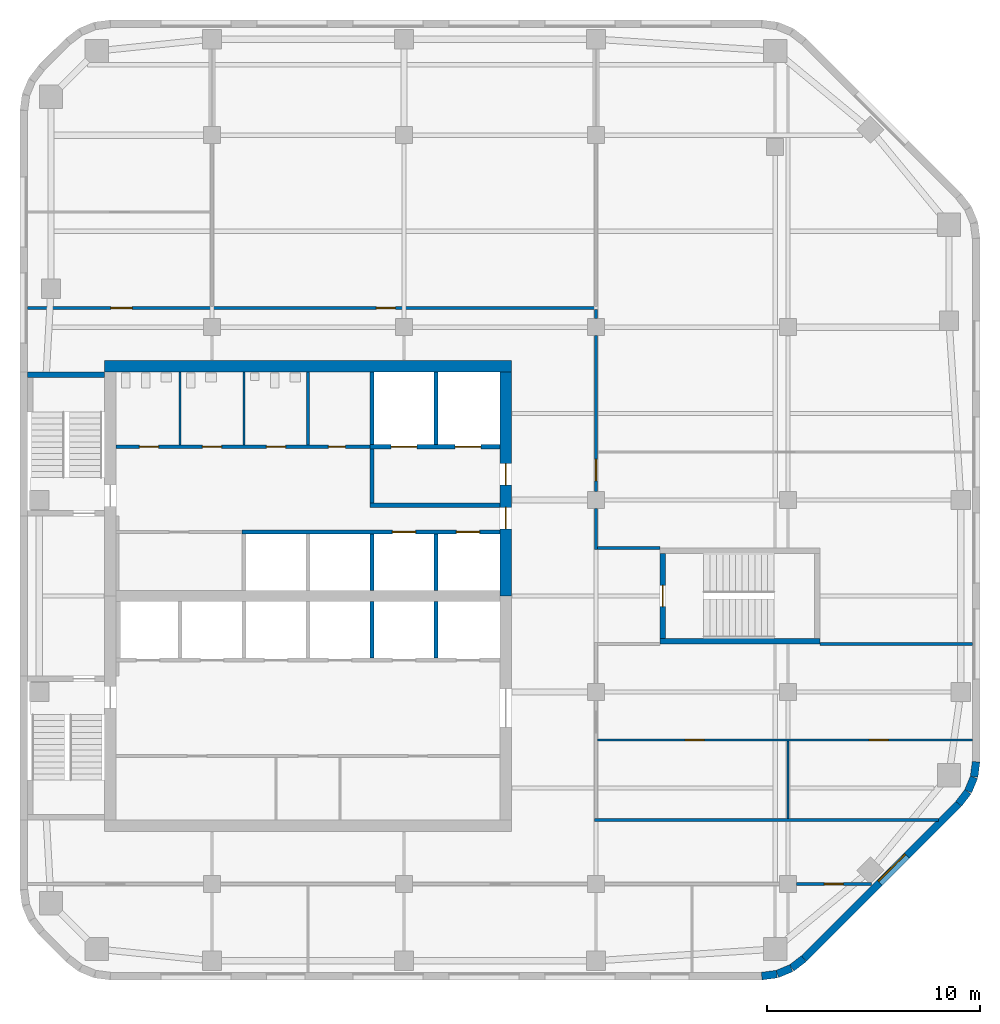
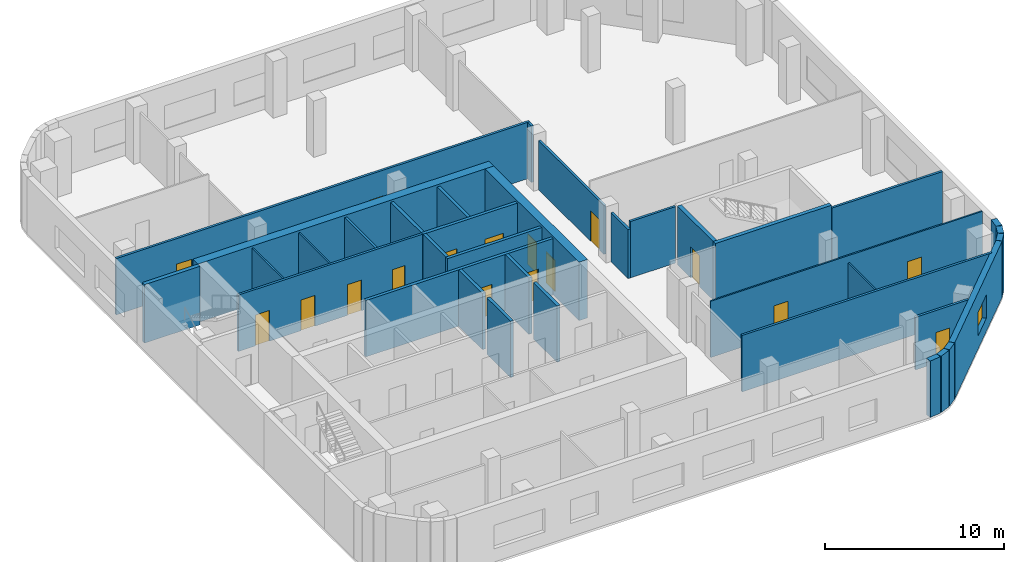
# One storey, part 4 of 7: 36 walls, 17 doors, 1 window, 18 openings.
"""IFC4 building model written with IfcOpenShell, lengths in metres."""

from ifc_helpers import new_model, si_unit, direction, frame, frame_2d, origin, place, context, subcontext, project, spatial, rectangle, extrude, material, layer, layer_set, type_object, element, fill, save


model = new_model("IFC4")

# Units and contexts
model_context = context("Model", 3, precision=1e-05, world=origin(), true_north=direction((0.0, 1.0)))
body_context = subcontext(model_context, "Body", "Model", "MODEL_VIEW")
ifc_project = project(units=[si_unit("LENGTHUNIT", "METRE"), si_unit("AREAUNIT", "SQUARE_METRE"), si_unit("VOLUMEUNIT", "CUBIC_METRE"), si_unit("PLANEANGLEUNIT", "RADIAN"), si_unit("MASSUNIT", "GRAM", prefix="KILO")], contexts=[model_context])

# Site, building, storey
site_placement = place(None, origin())
site = spatial("IfcSite", under=ifc_project, at=site_placement, CompositionType="ELEMENT")
building_placement = place(site_placement, origin())
building = spatial("IfcBuilding", under=site, at=building_placement, Name="Cinnabar Reach Civic Tower", CompositionType="ELEMENT")
storey_placement = place(building_placement, frame((0.0, 0.0, 230.0)))
storey = spatial("IfcBuildingStorey", under=building, at=storey_placement, Name="L55", CompositionType="ELEMENT", Elevation=230.0)

# Walls
ifc_material_1 = material(Name="Facing brick with insulated backing", Category="masonry")
ifc_layer_1 = layer(ifc_material_1, 0.36)
ifc_layer_set_1 = layer_set([ifc_layer_1], Name="Brick corner wall")
wall_type_1 = type_object("IfcWallType", Name="Brick corner wall", PredefinedType="STANDARD", material=ifc_layer_set_1)
for number, where, z_axis, x_axis, name in (
    (1, (34.7686, 13.683, 0.0), (0.0, 0.0, 1.0), (0.99144092581, 0.13055608231, 0.0), "Brick corner wall"),
    (2, (35.4973, 13.7819, 0.0), (0.0, 0.0, 1.0), (0.923871547278, 0.382702709855, 0.0), "Brick corner wall"),
):
    element("IfcWall", number, at=place(storey_placement, frame(where, z_axis=z_axis, x_axis=x_axis)), inside=storey, type_object=wall_type_1, Name=name, PredefinedType="STANDARD", context=body_context, shape_type="SweptSolid", body=[
        extrude(rectangle(XDim=0.7131, YDim=0.36, at=frame_2d((0.3565, 0.0))), origin(), (0.0, 0.0, 1.0), 3.85),
    ])
for number, where, z_axis, x_axis, name in (
    (3, (36.1755, 14.066, 0.0), (0.0, 0.0, 1.0), (0.793321924995, 0.608802368033, 0.0), "Brick corner wall"),
    (4, (43.9998, 21.7587, 0.0), (0.0, 0.0, 1.0), (0.608802368033, 0.793321924995, 0.0), "Brick corner wall"),
):
    element("IfcWall", number, at=place(storey_placement, frame(where, z_axis=z_axis, x_axis=x_axis)), inside=storey, type_object=wall_type_1, Name=name, PredefinedType="STANDARD", context=body_context, shape_type="SweptSolid", body=[
        extrude(rectangle(XDim=0.7132, YDim=0.36, at=frame_2d((0.3566, 0.0))), origin(), (0.0, 0.0, 1.0), 3.85),
    ])
for number, where, z_axis, x_axis, name in (
    (5, (44.4452, 22.3439, 0.0), (0.0, 0.0, 1.0), (0.382702709855, 0.923871547278, 0.0), "Brick corner wall"),
    (6, (44.7239, 23.0244, 0.0), (0.0, 0.0, 1.0), (0.13055608231, 0.99144092581, 0.0), "Brick corner wall"),
):
    element("IfcWall", number, at=place(storey_placement, frame(where, z_axis=z_axis, x_axis=x_axis)), inside=storey, type_object=wall_type_1, Name=name, PredefinedType="STANDARD", context=body_context, shape_type="SweptSolid", body=[
        extrude(rectangle(XDim=0.7131, YDim=0.36, at=frame_2d((0.3565, 0.0))), origin(), (0.0, 0.0, 1.0), 3.85),
    ])

# Wall, opening, window
ifc_layer_2 = layer(ifc_material_1, 0.36)
ifc_layer_set_2 = layer_set([ifc_layer_2], Name="Brick pier and spandrel wall")
wall_type_2 = type_object("IfcWallType", Name="Brick pier and spandrel wall", PredefinedType="STANDARD", material=ifc_layer_set_2)
wall_1_placement = place(storey_placement, frame((36.7514, 14.506, 0.0), z_axis=(0.0, 0.0, 1.0), x_axis=(0.707106781187, 0.707106781187, 0.0)))
wall_1 = element("IfcWall", 7, at=wall_1_placement, inside=storey, type_object=wall_type_2, Name="Brick facade wall", PredefinedType="STANDARD", context=body_context, shape_type="SweptSolid", body=[
    extrude(rectangle(XDim=10.2426, YDim=0.36, at=frame_2d((5.1213, 0.0))), origin(), (0.0, 0.0, 1.0), 3.85),
])
opening_1_placement = place(wall_1_placement, frame((5.0213, 0.0, 0.9)))
opening_1 = element("IfcOpeningElement", 8, at=opening_1_placement, cuts=wall_1, Name="Opening W2126", PredefinedType="OPENING", context=body_context, shape_type="SweptSolid", body=[
    extrude(rectangle(XDim=1.8, YDim=1.6, at=frame_2d((0.9, 0.8))), frame((0.0, 0.19, 0.0), z_axis=(0.0, -1.0, 0.0), x_axis=(1.0, 0.0, 0.0)), (0.0, 0.0, 1.0), 0.38),
])
ifc_material_2 = material(Name="Clear double glazing in aluminium frame", Category="aluminium")
window_type = type_object("IfcWindowType", Name="Deep-set window D", PartitioningType="SINGLE_PANEL", PredefinedType="WINDOW", material=ifc_material_2)
window_placement = place(opening_1_placement, origin())
window = element("IfcWindow", 9, at=window_placement, inside=storey, type_object=window_type, Name="Window southeast face", OverallHeight=1.6, OverallWidth=1.8, PartitioningType="SINGLE_PANEL", PredefinedType="WINDOW", context=body_context, shape_type="SweptSolid", body=[
    extrude(rectangle(XDim=1.8, YDim=1.6, at=frame_2d((0.9, 0.8))), frame((0.0, 0.13, 0.0), z_axis=(0.0, -1.0, 0.0), x_axis=(1.0, 0.0, 0.0)), (0.0, 0.0, 1.0), 0.06),
])
fill(opening_1, window)

# Wall
ifc_material_3 = material(Name="Concrete C60", Category="concrete")
ifc_layer_3 = layer(ifc_material_3, 0.55)
ifc_layer_set_3 = layer_set([ifc_layer_3], Name="Core wall 550 EI 180")
wall_type_3 = type_object("IfcWallType", Name="Core wall 550 EI 180", PredefinedType="SOLIDWALL", material=ifc_layer_set_3)
wall_2_placement = place(storey_placement, frame((23.05, 42.275, 0.0), z_axis=(0.0, 0.0, 1.0), x_axis=(-1.0, 0.0, 0.0)))
element("IfcWall", 10, at=wall_2_placement, inside=storey, type_object=wall_type_3, Name="Core wall T1 L55 N", PredefinedType="SOLIDWALL", context=body_context, shape_type="SweptSolid", body=[
    extrude(rectangle(XDim=19.1, YDim=0.55, at=frame_2d((9.55, 0.0))), origin(), (0.0, 0.0, 1.0), 4.0),
])

# Wall, openings, doors
wall_3_placement = place(storey_placement, frame((22.775, 31.5, 0.0), z_axis=(0.0, 0.0, 1.0), x_axis=(0.0, 1.0, 0.0)))
wall_3 = element("IfcWall", 11, at=wall_3_placement, inside=storey, type_object=wall_type_3, Name="Core wall T1 L55 E2", PredefinedType="SOLIDWALL", context=body_context, shape_type="SweptSolid", body=[
    extrude(rectangle(XDim=10.5, YDim=0.55, at=frame_2d((5.25, 0.0))), origin(), (0.0, 0.0, 1.0), 4.0),
])
opening_2_placement = place(wall_3_placement, frame((3.15, 0.0, 0.0)))
opening_2 = element("IfcOpeningElement", 12, at=opening_2_placement, cuts=wall_3, Name="Opening D5240", PredefinedType="OPENING", context=body_context, shape_type="SweptSolid", body=[
    extrude(rectangle(XDim=1.0, YDim=2.1, at=frame_2d((0.5, 1.05))), frame((0.0, 0.285, 0.0), z_axis=(0.0, -1.0, 0.0), x_axis=(1.0, 0.0, 0.0)), (0.0, 0.0, 1.0), 0.57),
])
opening_3_placement = place(wall_3_placement, frame((5.2, 0.0, 0.0)))
opening_3 = element("IfcOpeningElement", 13, at=opening_3_placement, cuts=wall_3, Name="Opening D5241", PredefinedType="OPENING", context=body_context, shape_type="SweptSolid", body=[
    extrude(rectangle(XDim=1.0, YDim=2.1, at=frame_2d((0.5, 1.05))), frame((0.0, 0.285, 0.0), z_axis=(0.0, -1.0, 0.0), x_axis=(1.0, 0.0, 0.0)), (0.0, 0.0, 1.0), 0.57),
])
ifc_material_4 = material(Name="Timber door leaf in steel frame", Category="steel")
door_type_1 = type_object("IfcDoorType", Name="Firefighting lobby door 1000 x 2100 T1", OperationType="SINGLE_SWING_LEFT", PredefinedType="DOOR", material=ifc_material_4)
door_1_placement = place(opening_3_placement, origin())
door_1 = element("IfcDoor", 14, at=door_1_placement, inside=storey, type_object=door_type_1, Name="Door D5241", OperationType="SINGLE_SWING_LEFT", OverallHeight=2.1, OverallWidth=1.0, PredefinedType="DOOR", context=body_context, shape_type="SweptSolid", body=[
    extrude(rectangle(XDim=1.0, YDim=2.1, at=frame_2d((0.5, 1.05))), frame((0.0, 0.025, 0.0), z_axis=(0.0, -1.0, 0.0), x_axis=(1.0, 0.0, 0.0)), (0.0, 0.0, 1.0), 0.05),
])
fill(opening_3, door_1)
door_type_2 = type_object("IfcDoorType", Name="Single swing door 1000 x 2100 T1", OperationType="SINGLE_SWING_LEFT", PredefinedType="DOOR", material=ifc_material_4)
door_2_placement = place(opening_2_placement, origin())
door_2 = element("IfcDoor", 15, at=door_2_placement, inside=storey, type_object=door_type_2, Name="Door D5240", OperationType="SINGLE_SWING_RIGHT", OverallHeight=2.1, OverallWidth=1.0, PredefinedType="DOOR", context=body_context, shape_type="SweptSolid", body=[
    extrude(rectangle(XDim=1.0, YDim=2.1, at=frame_2d((0.5, 1.05))), frame((0.0, 0.025, 0.0), z_axis=(0.0, -1.0, 0.0), x_axis=(1.0, 0.0, 0.0)), (0.0, 0.0, 1.0), 0.05),
])
fill(opening_2, door_2)

# Wall, opening, door
ifc_material_5 = material(Name="Gypsum board on steel studs, double layer", Category="steel")
ifc_layer_4 = layer(ifc_material_5, 0.15)
ifc_layer_set_4 = layer_set([ifc_layer_4], Name="Corridor wall 150 T1")
wall_type_4 = type_object("IfcWallType", Name="Corridor wall 150 T1", PredefinedType="PARTITIONING", material=ifc_layer_set_4)
wall_4_placement = place(storey_placement, frame((36.4, 18.0, 0.0), z_axis=(0.0, 0.0, 1.0), x_axis=(1.0, 0.0, 0.0)))
wall_4 = element("IfcWall", 16, at=wall_4_placement, inside=storey, type_object=wall_type_4, Name="Corridor wall 18", PredefinedType="PARTITIONING", context=body_context, shape_type="SweptSolid", body=[
    extrude(rectangle(XDim=3.516, YDim=0.15, at=frame_2d((1.758, 0.0))), origin(), (0.0, 0.0, 1.0), 3.602),
])
opening_4_placement = place(wall_4_placement, frame((1.3, 0.0, 0.0)))
opening_4 = element("IfcOpeningElement", 17, at=opening_4_placement, cuts=wall_4, Name="Opening D5258", PredefinedType="OPENING", context=body_context, shape_type="SweptSolid", body=[
    extrude(rectangle(XDim=0.9, YDim=2.1, at=frame_2d((0.45, 1.05))), frame((0.0, 0.085, 0.0), z_axis=(0.0, -1.0, 0.0), x_axis=(1.0, 0.0, 0.0)), (0.0, 0.0, 1.0), 0.17),
])
door_type_3 = type_object("IfcDoorType", Name="Single swing door 900 x 2100 corridor T1", OperationType="SINGLE_SWING_LEFT", PredefinedType="DOOR", material=ifc_material_4)
door_3_placement = place(opening_4_placement, frame((0.9, 0.0, 0.0), z_axis=(0.0, 0.0, 1.0), x_axis=(-1.0, 0.0, 0.0)))
door_3 = element("IfcDoor", 18, at=door_3_placement, inside=storey, type_object=door_type_3, Name="Door D5258", OperationType="SINGLE_SWING_LEFT", OverallHeight=2.1, OverallWidth=0.9, PredefinedType="DOOR", context=body_context, shape_type="SweptSolid", body=[
    extrude(rectangle(XDim=0.9, YDim=2.1, at=frame_2d((0.45, 1.05))), frame((0.0, 0.025, 0.0), z_axis=(0.0, -1.0, 0.0), x_axis=(1.0, 0.0, 0.0)), (0.0, 0.0, 1.0), 0.05),
])
fill(opening_4, door_3)

# Wall, openings, doors
wall_5_placement = place(storey_placement, frame((0.36, 45.0, 0.0), z_axis=(0.0, 0.0, 1.0), x_axis=(1.0, 0.0, 0.0)))
wall_5 = element("IfcWall", 19, at=wall_5_placement, inside=storey, type_object=wall_type_4, Name="Corridor wall 23", PredefinedType="PARTITIONING", context=body_context, shape_type="SweptSolid", body=[
    extrude(rectangle(XDim=26.715, YDim=0.15, at=frame_2d((13.3575, 0.0))), origin(), (0.0, 0.0, 1.0), 3.85),
])
opening_5_placement = place(wall_5_placement, frame((3.9, 0.0, 0.0)))
opening_5 = element("IfcOpeningElement", 20, at=opening_5_placement, cuts=wall_5, Name="Opening D5259", PredefinedType="OPENING", context=body_context, shape_type="SweptSolid", body=[
    extrude(rectangle(XDim=1.0, YDim=2.1, at=frame_2d((0.5, 1.05))), frame((0.0, 0.085, 0.0), z_axis=(0.0, -1.0, 0.0), x_axis=(1.0, 0.0, 0.0)), (0.0, 0.0, 1.0), 0.17),
])
opening_6_placement = place(wall_5_placement, frame((16.34, 0.0, 0.0)))
opening_6 = element("IfcOpeningElement", 21, at=opening_6_placement, cuts=wall_5, Name="Opening D5261", PredefinedType="OPENING", context=body_context, shape_type="SweptSolid", body=[
    extrude(rectangle(XDim=0.9, YDim=2.1, at=frame_2d((0.45, 1.05))), frame((0.0, 0.085, 0.0), z_axis=(0.0, -1.0, 0.0), x_axis=(1.0, 0.0, 0.0)), (0.0, 0.0, 1.0), 0.17),
])
door_4_placement = place(opening_6_placement, origin())
door_4 = element("IfcDoor", 22, at=door_4_placement, inside=storey, type_object=door_type_3, Name="Door D5261", OperationType="SINGLE_SWING_LEFT", OverallHeight=2.1, OverallWidth=0.9, PredefinedType="DOOR", context=body_context, shape_type="SweptSolid", body=[
    extrude(rectangle(XDim=0.9, YDim=2.1, at=frame_2d((0.45, 1.05))), frame((0.0, 0.025, 0.0), z_axis=(0.0, -1.0, 0.0), x_axis=(1.0, 0.0, 0.0)), (0.0, 0.0, 1.0), 0.05),
])
fill(opening_6, door_4)
door_type_4 = type_object("IfcDoorType", Name="Tenancy entrance door 1000 x 2100 T1", OperationType="SINGLE_SWING_LEFT", PredefinedType="DOOR", material=ifc_material_4)
door_5_placement = place(opening_5_placement, origin())
door_5 = element("IfcDoor", 23, at=door_5_placement, inside=storey, type_object=door_type_4, Name="Door D5259", OperationType="SINGLE_SWING_LEFT", OverallHeight=2.1, OverallWidth=1.0, PredefinedType="DOOR", context=body_context, shape_type="SweptSolid", body=[
    extrude(rectangle(XDim=1.0, YDim=2.1, at=frame_2d((0.5, 1.05))), frame((0.0, 0.025, 0.0), z_axis=(0.0, -1.0, 0.0), x_axis=(1.0, 0.0, 0.0)), (0.0, 0.0, 1.0), 0.05),
])
fill(opening_5, door_5)

# Wall
wall_6_placement = place(storey_placement, frame((26.925, 21.0, 0.0), z_axis=(0.0, 0.0, 1.0), x_axis=(1.0, 0.0, 0.0)))
element("IfcWall", 24, at=wall_6_placement, inside=storey, type_object=wall_type_4, Name="Corridor wall 25", PredefinedType="PARTITIONING", context=body_context, shape_type="SweptSolid", body=[
    extrude(rectangle(XDim=16.1409, YDim=0.15, at=frame_2d((8.0704, 0.0))), origin(), (0.0, 0.0, 1.0), 3.85),
])

# Wall, openings, doors
wall_7_placement = place(storey_placement, frame((4.5, 38.5, 0.0), z_axis=(0.0, 0.0, 1.0), x_axis=(1.0, 0.0, 0.0)))
wall_7 = element("IfcWall", 25, at=wall_7_placement, inside=storey, type_object=wall_type_4, Name="Corridor wall 26", PredefinedType="PARTITIONING", context=body_context, shape_type="SweptSolid", body=[
    extrude(rectangle(XDim=11.9, YDim=0.15, at=frame_2d((5.95, 0.0))), origin(), (0.0, 0.0, 1.0), 3.85),
])
opening_7_placement = place(wall_7_placement, frame((1.1, 0.0, 0.0)))
opening_7 = element("IfcOpeningElement", 26, at=opening_7_placement, cuts=wall_7, Name="Opening D5247", PredefinedType="OPENING", context=body_context, shape_type="SweptSolid", body=[
    extrude(rectangle(XDim=0.9, YDim=2.1, at=frame_2d((0.45, 1.05))), frame((0.0, 0.085, 0.0), z_axis=(0.0, -1.0, 0.0), x_axis=(1.0, 0.0, 0.0)), (0.0, 0.0, 1.0), 0.17),
])
opening_8_placement = place(wall_7_placement, frame((4.05, 0.0, 0.0)))
opening_8 = element("IfcOpeningElement", 27, at=opening_8_placement, cuts=wall_7, Name="Opening D5248", PredefinedType="OPENING", context=body_context, shape_type="SweptSolid", body=[
    extrude(rectangle(XDim=0.9, YDim=2.1, at=frame_2d((0.45, 1.05))), frame((0.0, 0.085, 0.0), z_axis=(0.0, -1.0, 0.0), x_axis=(1.0, 0.0, 0.0)), (0.0, 0.0, 1.0), 0.17),
])
opening_9_placement = place(wall_7_placement, frame((7.05, 0.0, 0.0)))
opening_9 = element("IfcOpeningElement", 28, at=opening_9_placement, cuts=wall_7, Name="Opening D5249", PredefinedType="OPENING", context=body_context, shape_type="SweptSolid", body=[
    extrude(rectangle(XDim=0.9, YDim=2.1, at=frame_2d((0.45, 1.05))), frame((0.0, 0.085, 0.0), z_axis=(0.0, -1.0, 0.0), x_axis=(1.0, 0.0, 0.0)), (0.0, 0.0, 1.0), 0.17),
])
opening_10_placement = place(wall_7_placement, frame((9.95, 0.0, 0.0)))
opening_10 = element("IfcOpeningElement", 29, at=opening_10_placement, cuts=wall_7, Name="Opening D5250", PredefinedType="OPENING", context=body_context, shape_type="SweptSolid", body=[
    extrude(rectangle(XDim=0.8, YDim=2.1, at=frame_2d((0.4, 1.05))), frame((0.0, 0.085, 0.0), z_axis=(0.0, -1.0, 0.0), x_axis=(1.0, 0.0, 0.0)), (0.0, 0.0, 1.0), 0.17),
])
door_type_5 = type_object("IfcDoorType", Name="Riser access door 800 x 2100 T1", OperationType="SINGLE_SWING_LEFT", PredefinedType="DOOR", material=ifc_material_4)
door_6_placement = place(opening_10_placement, origin())
door_6 = element("IfcDoor", 30, at=door_6_placement, inside=storey, type_object=door_type_5, Name="Door D5250", OperationType="SINGLE_SWING_RIGHT", OverallHeight=2.1, OverallWidth=0.8, PredefinedType="DOOR", context=body_context, shape_type="SweptSolid", body=[
    extrude(rectangle(XDim=0.8, YDim=2.1, at=frame_2d((0.4, 1.05))), frame((0.0, 0.025, 0.0), z_axis=(0.0, -1.0, 0.0), x_axis=(1.0, 0.0, 0.0)), (0.0, 0.0, 1.0), 0.05),
])
fill(opening_10, door_6)
door_7_placement = place(opening_7_placement, origin())
door_7 = element("IfcDoor", 31, at=door_7_placement, inside=storey, type_object=door_type_3, Name="Door D5247", OperationType="SINGLE_SWING_RIGHT", OverallHeight=2.1, OverallWidth=0.9, PredefinedType="DOOR", context=body_context, shape_type="SweptSolid", body=[
    extrude(rectangle(XDim=0.9, YDim=2.1, at=frame_2d((0.45, 1.05))), frame((0.0, 0.025, 0.0), z_axis=(0.0, -1.0, 0.0), x_axis=(1.0, 0.0, 0.0)), (0.0, 0.0, 1.0), 0.05),
])
fill(opening_7, door_7)
door_8_placement = place(opening_8_placement, origin())
door_8 = element("IfcDoor", 32, at=door_8_placement, inside=storey, type_object=door_type_3, Name="Door D5248", OperationType="SINGLE_SWING_RIGHT", OverallHeight=2.1, OverallWidth=0.9, PredefinedType="DOOR", context=body_context, shape_type="SweptSolid", body=[
    extrude(rectangle(XDim=0.9, YDim=2.1, at=frame_2d((0.45, 1.05))), frame((0.0, 0.025, 0.0), z_axis=(0.0, -1.0, 0.0), x_axis=(1.0, 0.0, 0.0)), (0.0, 0.0, 1.0), 0.05),
])
fill(opening_8, door_8)
door_9_placement = place(opening_9_placement, origin())
door_9 = element("IfcDoor", 33, at=door_9_placement, inside=storey, type_object=door_type_3, Name="Door D5249", OperationType="SINGLE_SWING_LEFT", OverallHeight=2.1, OverallWidth=0.9, PredefinedType="DOOR", context=body_context, shape_type="SweptSolid", body=[
    extrude(rectangle(XDim=0.9, YDim=2.1, at=frame_2d((0.45, 1.05))), frame((0.0, 0.025, 0.0), z_axis=(0.0, -1.0, 0.0), x_axis=(1.0, 0.0, 0.0)), (0.0, 0.0, 1.0), 0.05),
])
fill(opening_9, door_9)

# Wall
wall_8_placement = place(storey_placement, frame((27.0, 33.675, 0.0), z_axis=(0.0, 0.0, 1.0), x_axis=(0.0, 1.0, 0.0)))
element("IfcWall", 34, at=wall_8_placement, inside=storey, type_object=wall_type_4, Name="Corridor wall 27", PredefinedType="PARTITIONING", context=body_context, shape_type="SweptSolid", body=[
    extrude(rectangle(XDim=1.925, YDim=0.15, at=frame_2d((0.9625, 0.0))), origin(), (0.0, 0.0, 1.0), 3.35),
])

# Wall, opening, door
wall_9_placement = place(storey_placement, frame((27.0, 36.4, 0.0), z_axis=(0.0, 0.0, 1.0), x_axis=(0.0, 1.0, 0.0)))
wall_9 = element("IfcWall", 35, at=wall_9_placement, inside=storey, type_object=wall_type_4, Name="Corridor wall 28", PredefinedType="PARTITIONING", context=body_context, shape_type="SweptSolid", body=[
    extrude(rectangle(XDim=7.3, YDim=0.15, at=frame_2d((3.65, 0.0))), origin(), (0.0, 0.0, 1.0), 3.35),
])
opening_11_placement = place(wall_9_placement, frame((0.5, 0.0, 0.0)))
opening_11 = element("IfcOpeningElement", 36, at=opening_11_placement, cuts=wall_9, Name="Opening D5251", PredefinedType="OPENING", context=body_context, shape_type="SweptSolid", body=[
    extrude(rectangle(XDim=1.0, YDim=2.1, at=frame_2d((0.5, 1.05))), frame((0.0, 0.085, 0.0), z_axis=(0.0, -1.0, 0.0), x_axis=(1.0, 0.0, 0.0)), (0.0, 0.0, 1.0), 0.17),
])
door_10_placement = place(opening_11_placement, frame((1.0, 0.0, 0.0), z_axis=(0.0, 0.0, 1.0), x_axis=(-1.0, 0.0, 0.0)))
door_10 = element("IfcDoor", 37, at=door_10_placement, inside=storey, type_object=door_type_4, Name="Door D5251", OperationType="SINGLE_SWING_LEFT", OverallHeight=2.1, OverallWidth=1.0, PredefinedType="DOOR", context=body_context, shape_type="SweptSolid", body=[
    extrude(rectangle(XDim=1.0, YDim=2.1, at=frame_2d((0.5, 1.05))), frame((0.0, 0.025, 0.0), z_axis=(0.0, -1.0, 0.0), x_axis=(1.0, 0.0, 0.0)), (0.0, 0.0, 1.0), 0.05),
])
fill(opening_11, door_10)

# Walls
wall_10_placement = place(storey_placement, frame((27.0, 44.5, 0.0), z_axis=(0.0, 0.0, 1.0), x_axis=(0.0, 1.0, 0.0)))
element("IfcWall", 38, at=wall_10_placement, inside=storey, type_object=wall_type_4, Name="Corridor wall 29", PredefinedType="PARTITIONING", context=body_context, shape_type="SweptSolid", body=[
    extrude(rectangle(XDim=0.425, YDim=0.15, at=frame_2d((0.2125, 0.0))), origin(), (0.0, 0.0, 1.0), 3.85),
])
wall_11_placement = place(storey_placement, frame((27.075, 33.75, 0.0), z_axis=(0.0, 0.0, 1.0), x_axis=(1.0, 0.0, 0.0)))
element("IfcWall", 39, at=wall_11_placement, inside=storey, type_object=wall_type_4, Name="Corridor wall 36", PredefinedType="PARTITIONING", context=body_context, shape_type="SweptSolid", body=[
    extrude(rectangle(XDim=2.925, YDim=0.15, at=frame_2d((1.4625, 0.0))), origin(), (0.0, 0.0, 1.0), 3.85),
])

# Wall, openings, doors
ifc_material_6 = material(Name="Blockwork", Category="masonry")
ifc_layer_5 = layer(ifc_material_6, 0.2)
ifc_layer_set_5 = layer_set([ifc_layer_5], Name="Lift shaft wall 200 T1")
wall_type_5 = type_object("IfcWallType", Name="Lift shaft wall 200 T1", PredefinedType="PARTITIONING", material=ifc_layer_set_5)
wall_12_placement = place(storey_placement, frame((10.4, 34.5, 0.0), z_axis=(0.0, 0.0, 1.0), x_axis=(1.0, 0.0, 0.0)))
wall_12 = element("IfcWall", 40, at=wall_12_placement, inside=storey, type_object=wall_type_5, Name="Lift shaft wall 5", PredefinedType="PARTITIONING", context=body_context, shape_type="SweptSolid", body=[
    extrude(rectangle(XDim=12.1, YDim=0.2, at=frame_2d((6.05, 0.0))), origin(), (0.0, 0.0, 1.0), 3.85),
])
opening_12_placement = place(wall_12_placement, frame((7.05, 0.0, 0.0)))
opening_12 = element("IfcOpeningElement", 41, at=opening_12_placement, cuts=wall_12, Name="Opening D5235", PredefinedType="OPENING", context=body_context, shape_type="SweptSolid", body=[
    extrude(rectangle(XDim=1.1, YDim=2.1, at=frame_2d((0.55, 1.05))), frame((0.0, 0.11, 0.0), z_axis=(0.0, -1.0, 0.0), x_axis=(1.0, 0.0, 0.0)), (0.0, 0.0, 1.0), 0.22),
])
opening_13_placement = place(wall_12_placement, frame((10.05, 0.0, 0.0)))
opening_13 = element("IfcOpeningElement", 42, at=opening_13_placement, cuts=wall_12, Name="Opening D5236", PredefinedType="OPENING", context=body_context, shape_type="SweptSolid", body=[
    extrude(rectangle(XDim=1.1, YDim=2.1, at=frame_2d((0.55, 1.05))), frame((0.0, 0.11, 0.0), z_axis=(0.0, -1.0, 0.0), x_axis=(1.0, 0.0, 0.0)), (0.0, 0.0, 1.0), 0.22),
])
ifc_material_7 = material(Name="Stainless steel sliding door", Category="steel")
door_type_6 = type_object("IfcDoorType", Name="Lift landing door 1100 x 2100 T1", OperationType="SLIDING_TO_LEFT", PredefinedType="DOOR", material=ifc_material_7)
door_11_placement = place(opening_12_placement, origin())
door_11 = element("IfcDoor", 43, at=door_11_placement, inside=storey, type_object=door_type_6, Name="Lift landing door SV1 L55", OperationType="SLIDING_TO_LEFT", OverallHeight=2.1, OverallWidth=1.1, PredefinedType="DOOR", context=body_context, shape_type="SweptSolid", body=[
    extrude(rectangle(XDim=1.1, YDim=2.1, at=frame_2d((0.55, 1.05))), frame((0.0, 0.025, 0.0), z_axis=(0.0, -1.0, 0.0), x_axis=(1.0, 0.0, 0.0)), (0.0, 0.0, 1.0), 0.05),
])
fill(opening_12, door_11)
door_12_placement = place(opening_13_placement, origin())
door_12 = element("IfcDoor", 44, at=door_12_placement, inside=storey, type_object=door_type_6, Name="Lift landing door SV2 L55", OperationType="SLIDING_TO_LEFT", OverallHeight=2.1, OverallWidth=1.1, PredefinedType="DOOR", context=body_context, shape_type="SweptSolid", body=[
    extrude(rectangle(XDim=1.1, YDim=2.1, at=frame_2d((0.55, 1.05))), frame((0.0, 0.025, 0.0), z_axis=(0.0, -1.0, 0.0), x_axis=(1.0, 0.0, 0.0)), (0.0, 0.0, 1.0), 0.05),
])
fill(opening_13, door_12)

# Walls
for number, where, z_axis, x_axis, name in (
    (45, (16.5, 28.6, 0.0), (0.0, 0.0, 1.0), (0.0, 1.0, 0.0), "Lift shaft wall 10"),
    (46, (16.5, 31.75, 0.0), (0.0, 0.0, 1.0), (0.0, 1.0, 0.0), "Lift shaft wall 11"),
    (47, (19.5, 28.6, 0.0), (0.0, 0.0, 1.0), (0.0, 1.0, 0.0), "Lift shaft wall 12"),
    (48, (19.5, 31.75, 0.0), (0.0, 0.0, 1.0), (0.0, 1.0, 0.0), "Lift shaft wall 13"),
):
    element("IfcWall", number, at=place(storey_placement, frame(where, z_axis=z_axis, x_axis=x_axis)), inside=storey, type_object=wall_type_5, Name=name, PredefinedType="PARTITIONING", context=body_context, shape_type="SweptSolid", body=[
        extrude(rectangle(XDim=2.65, YDim=0.2, at=frame_2d((1.325, 0.0))), origin(), (0.0, 0.0, 1.0), 3.85),
    ])
for number, where, z_axis, x_axis, name in (
    (49, (16.5, 38.6, 0.0), (0.0, 0.0, 1.0), (0.0, 1.0, 0.0), "Lift shaft wall 14"),
    (50, (19.5, 38.6, 0.0), (0.0, 0.0, 1.0), (0.0, 1.0, 0.0), "Lift shaft wall 15"),
):
    element("IfcWall", number, at=place(storey_placement, frame(where, z_axis=z_axis, x_axis=x_axis)), inside=storey, type_object=wall_type_5, Name=name, PredefinedType="PARTITIONING", context=body_context, shape_type="SweptSolid", body=[
        extrude(rectangle(XDim=3.4, YDim=0.2, at=frame_2d((1.7, 0.0))), origin(), (0.0, 0.0, 1.0), 3.85),
    ])

# Wall, openings, doors
ifc_material_8 = material(Name="Gypsum board on steel studs", Category="steel")
ifc_layer_6 = layer(ifc_material_8, 0.1)
ifc_layer_set_6 = layer_set([ifc_layer_6], Name="Partition wall 100 T1")
wall_type_6 = type_object("IfcWallType", Name="Partition wall 100 T1", PredefinedType="PARTITIONING", material=ifc_layer_set_6)
wall_13_placement = place(storey_placement, frame((27.075, 24.75, 0.0), z_axis=(0.0, 0.0, 1.0), x_axis=(1.0, 0.0, 0.0)))
wall_13 = element("IfcWall", 51, at=wall_13_placement, inside=storey, type_object=wall_type_6, Name="Partition wall 40", PredefinedType="PARTITIONING", context=body_context, shape_type="SweptSolid", body=[
    extrude(rectangle(XDim=17.565, YDim=0.1, at=frame_2d((8.7825, 0.0))), origin(), (0.0, 0.0, 1.0), 3.85),
])
opening_14_placement = place(wall_13_placement, frame((4.1, 0.0, 0.0)))
opening_14 = element("IfcOpeningElement", 52, at=opening_14_placement, cuts=wall_13, Name="Opening D5254", PredefinedType="OPENING", context=body_context, shape_type="SweptSolid", body=[
    extrude(rectangle(XDim=0.9, YDim=2.1, at=frame_2d((0.45, 1.05))), frame((0.0, 0.06, 0.0), z_axis=(0.0, -1.0, 0.0), x_axis=(1.0, 0.0, 0.0)), (0.0, 0.0, 1.0), 0.12),
])
opening_15_placement = place(wall_13_placement, frame((12.725, 0.0, 0.0)))
opening_15 = element("IfcOpeningElement", 53, at=opening_15_placement, cuts=wall_13, Name="Opening D5255", PredefinedType="OPENING", context=body_context, shape_type="SweptSolid", body=[
    extrude(rectangle(XDim=0.9, YDim=2.1, at=frame_2d((0.45, 1.05))), frame((0.0, 0.06, 0.0), z_axis=(0.0, -1.0, 0.0), x_axis=(1.0, 0.0, 0.0)), (0.0, 0.0, 1.0), 0.12),
])
door_type_7 = type_object("IfcDoorType", Name="Single swing door 900 x 2100 T1", OperationType="SINGLE_SWING_LEFT", PredefinedType="DOOR", material=ifc_material_4)
door_13_placement = place(opening_14_placement, frame((0.9, 0.0, 0.0), z_axis=(0.0, 0.0, 1.0), x_axis=(-1.0, 0.0, 0.0)))
door_13 = element("IfcDoor", 54, at=door_13_placement, inside=storey, type_object=door_type_7, Name="Door D5254", OperationType="SINGLE_SWING_RIGHT", OverallHeight=2.1, OverallWidth=0.9, PredefinedType="DOOR", context=body_context, shape_type="SweptSolid", body=[
    extrude(rectangle(XDim=0.9, YDim=2.1, at=frame_2d((0.45, 1.05))), frame((0.0, 0.025, 0.0), z_axis=(0.0, -1.0, 0.0), x_axis=(1.0, 0.0, 0.0)), (0.0, 0.0, 1.0), 0.05),
])
fill(opening_14, door_13)
door_14_placement = place(opening_15_placement, frame((0.9, 0.0, 0.0), z_axis=(0.0, 0.0, 1.0), x_axis=(-1.0, 0.0, 0.0)))
door_14 = element("IfcDoor", 55, at=door_14_placement, inside=storey, type_object=door_type_7, Name="Door D5255", OperationType="SINGLE_SWING_LEFT", OverallHeight=2.1, OverallWidth=0.9, PredefinedType="DOOR", context=body_context, shape_type="SweptSolid", body=[
    extrude(rectangle(XDim=0.9, YDim=2.1, at=frame_2d((0.45, 1.05))), frame((0.0, 0.025, 0.0), z_axis=(0.0, -1.0, 0.0), x_axis=(1.0, 0.0, 0.0)), (0.0, 0.0, 1.0), 0.05),
])
fill(opening_15, door_14)

# Walls
wall_14_placement = place(storey_placement, frame((36.0, 21.075, 0.0), z_axis=(0.0, 0.0, 1.0), x_axis=(0.0, 1.0, 0.0)))
element("IfcWall", 56, at=wall_14_placement, inside=storey, type_object=wall_type_6, Name="Partition wall 49", PredefinedType="PARTITIONING", context=body_context, shape_type="SweptSolid", body=[
    extrude(rectangle(XDim=3.625, YDim=0.1, at=frame_2d((1.8125, 0.0))), origin(), (0.0, 0.0, 1.0), 3.35),
])
for number, where, z_axis, x_axis, name in (
    (57, (7.5, 38.575, 0.0), (0.0, 0.0, 1.0), (0.0, 1.0, 0.0), "Partition wall 50"),
    (58, (10.5, 38.575, 0.0), (0.0, 0.0, 1.0), (0.0, 1.0, 0.0), "Partition wall 51"),
):
    element("IfcWall", number, at=place(storey_placement, frame(where, z_axis=z_axis, x_axis=x_axis)), inside=storey, type_object=wall_type_6, Name=name, PredefinedType="PARTITIONING", context=body_context, shape_type="SweptSolid", body=[
        extrude(rectangle(XDim=3.425, YDim=0.1, at=frame_2d((1.7125, 0.0))), origin(), (0.0, 0.0, 1.0), 3.85),
    ])
ifc_material_9 = material(Name="Concrete C40", Category="concrete")
ifc_layer_7 = layer(ifc_material_9, 0.2)
ifc_layer_set_7 = layer_set([ifc_layer_7], Name="Refuge compartment wall 200 T1")
wall_type_7 = type_object("IfcWallType", Name="Refuge compartment wall 200 T1", PredefinedType="PARTITIONING", material=ifc_layer_set_7)
wall_15_placement = place(storey_placement, frame((16.4, 35.75, 0.0), z_axis=(0.0, 0.0, 1.0), x_axis=(1.0, 0.0, 0.0)))
element("IfcWall", 59, at=wall_15_placement, inside=storey, type_object=wall_type_7, Name="Refuge compartment wall 1", PredefinedType="PARTITIONING", context=body_context, shape_type="SweptSolid", body=[
    extrude(rectangle(XDim=6.1, YDim=0.2, at=frame_2d((3.05, 0.0))), origin(), (0.0, 0.0, 1.0), 3.85),
])

# Wall, openings, doors
wall_16_placement = place(storey_placement, frame((16.4, 38.5, 0.0), z_axis=(0.0, 0.0, 1.0), x_axis=(1.0, 0.0, 0.0)))
wall_16 = element("IfcWall", 60, at=wall_16_placement, inside=storey, type_object=wall_type_7, Name="Refuge compartment wall 2", PredefinedType="PARTITIONING", context=body_context, shape_type="SweptSolid", body=[
    extrude(rectangle(XDim=6.1, YDim=0.2, at=frame_2d((3.05, 0.0))), origin(), (0.0, 0.0, 1.0), 3.85),
])
opening_16_placement = place(wall_16_placement, frame((1.0, 0.0, 0.0)))
opening_16 = element("IfcOpeningElement", 61, at=opening_16_placement, cuts=wall_16, Name="Opening D5237", PredefinedType="OPENING", context=body_context, shape_type="SweptSolid", body=[
    extrude(rectangle(XDim=1.2, YDim=2.1, at=frame_2d((0.6, 1.05))), frame((0.0, 0.11, 0.0), z_axis=(0.0, -1.0, 0.0), x_axis=(1.0, 0.0, 0.0)), (0.0, 0.0, 1.0), 0.22),
])
opening_17_placement = place(wall_16_placement, frame((4.0, 0.0, 0.0)))
opening_17 = element("IfcOpeningElement", 62, at=opening_17_placement, cuts=wall_16, Name="Opening D5238", PredefinedType="OPENING", context=body_context, shape_type="SweptSolid", body=[
    extrude(rectangle(XDim=1.2, YDim=2.1, at=frame_2d((0.6, 1.05))), frame((0.0, 0.11, 0.0), z_axis=(0.0, -1.0, 0.0), x_axis=(1.0, 0.0, 0.0)), (0.0, 0.0, 1.0), 0.22),
])
door_type_8 = type_object("IfcDoorType", Name="Firefighting lift landing door 1200 x 2100 T1", OperationType="SLIDING_TO_LEFT", PredefinedType="DOOR", material=ifc_material_7)
door_15_placement = place(opening_16_placement, origin())
door_15 = element("IfcDoor", 63, at=door_15_placement, inside=storey, type_object=door_type_8, Name="Lift landing door FF1 L55", OperationType="SLIDING_TO_LEFT", OverallHeight=2.1, OverallWidth=1.2, PredefinedType="DOOR", context=body_context, shape_type="SweptSolid", body=[
    extrude(rectangle(XDim=1.2, YDim=2.1, at=frame_2d((0.6, 1.05))), frame((0.0, 0.025, 0.0), z_axis=(0.0, -1.0, 0.0), x_axis=(1.0, 0.0, 0.0)), (0.0, 0.0, 1.0), 0.05),
])
fill(opening_16, door_15)
door_16_placement = place(opening_17_placement, origin())
door_16 = element("IfcDoor", 64, at=door_16_placement, inside=storey, type_object=door_type_8, Name="Lift landing door FF2 L55", OperationType="SLIDING_TO_LEFT", OverallHeight=2.1, OverallWidth=1.2, PredefinedType="DOOR", context=body_context, shape_type="SweptSolid", body=[
    extrude(rectangle(XDim=1.2, YDim=2.1, at=frame_2d((0.6, 1.05))), frame((0.0, 0.025, 0.0), z_axis=(0.0, -1.0, 0.0), x_axis=(1.0, 0.0, 0.0)), (0.0, 0.0, 1.0), 0.05),
])
fill(opening_17, door_16)

# Walls
wall_17_placement = place(storey_placement, frame((16.5, 35.85, 0.0), z_axis=(0.0, 0.0, 1.0), x_axis=(0.0, 1.0, 0.0)))
element("IfcWall", 65, at=wall_17_placement, inside=storey, type_object=wall_type_7, Name="Refuge compartment wall 3", PredefinedType="PARTITIONING", context=body_context, shape_type="SweptSolid", body=[
    extrude(rectangle(XDim=2.55, YDim=0.2, at=frame_2d((1.275, 0.0))), origin(), (0.0, 0.0, 1.0), 3.85),
])
ifc_layer_8 = layer(ifc_material_6, 0.15)
ifc_layer_set_8 = layer_set([ifc_layer_8], Name="Riser wall 150 T1")
wall_type_8 = type_object("IfcWallType", Name="Riser wall 150 T1", PredefinedType="PARTITIONING", material=ifc_layer_set_8)
wall_18_placement = place(storey_placement, frame((13.5, 38.575, 0.0), z_axis=(0.0, 0.0, 1.0), x_axis=(0.0, 1.0, 0.0)))
element("IfcWall", 66, at=wall_18_placement, inside=storey, type_object=wall_type_8, Name="Riser wall 38", PredefinedType="PARTITIONING", context=body_context, shape_type="SweptSolid", body=[
    extrude(rectangle(XDim=3.425, YDim=0.15, at=frame_2d((1.7125, 0.0))), origin(), (0.0, 0.0, 1.0), 3.85),
])
ifc_layer_9 = layer(ifc_material_3, 0.25)
ifc_layer_set_9 = layer_set([ifc_layer_9], Name="Stair shaft wall 250 EI 120")
wall_type_9 = type_object("IfcWallType", Name="Stair shaft wall 250 EI 120", PredefinedType="SOLIDWALL", material=ifc_layer_set_9)
wall_19_placement = place(storey_placement, frame((3.95, 41.875, 0.0), z_axis=(0.0, 0.0, 1.0), x_axis=(-1.0, 0.0, 0.0)))
element("IfcWall", 67, at=wall_19_placement, inside=storey, type_object=wall_type_9, Name="Stair shaft wall T1-S2 L55", PredefinedType="SOLIDWALL", context=body_context, shape_type="SweptSolid", body=[
    extrude(rectangle(XDim=3.59, YDim=0.25, at=frame_2d((1.795, 0.0))), origin(), (0.0, 0.0, 1.0), 4.0),
])
wall_20_placement = place(storey_placement, frame((30.0, 29.375, 0.0), z_axis=(0.0, 0.0, 1.0), x_axis=(1.0, 0.0, 0.0)))
element("IfcWall", 68, at=wall_20_placement, inside=storey, type_object=wall_type_9, Name="Stair shaft wall T1-S3 L55", PredefinedType="SOLIDWALL", context=body_context, shape_type="SweptSolid", body=[
    extrude(rectangle(XDim=7.5, YDim=0.25, at=frame_2d((3.75, 0.0))), origin(), (0.0, 0.0, 1.0), 4.0),
])

# Wall, opening, door
wall_21_placement = place(storey_placement, frame((30.125, 33.5, 0.0), z_axis=(0.0, 0.0, 1.0), x_axis=(0.0, -1.0, 0.0)))
wall_21 = element("IfcWall", 69, at=wall_21_placement, inside=storey, type_object=wall_type_9, Name="Stair shaft wall T1-S3 L55", PredefinedType="SOLIDWALL", context=body_context, shape_type="SweptSolid", body=[
    extrude(rectangle(XDim=4.0, YDim=0.25, at=frame_2d((2.0, 0.0))), origin(), (0.0, 0.0, 1.0), 4.0),
])
opening_18_placement = place(wall_21_placement, frame((1.5, 0.0, 0.0)))
opening_18 = element("IfcOpeningElement", 70, at=opening_18_placement, cuts=wall_21, Name="Opening D5242", PredefinedType="OPENING", context=body_context, shape_type="SweptSolid", body=[
    extrude(rectangle(XDim=1.0, YDim=2.1, at=frame_2d((0.5, 1.05))), frame((0.0, 0.135, 0.0), z_axis=(0.0, -1.0, 0.0), x_axis=(1.0, 0.0, 0.0)), (0.0, 0.0, 1.0), 0.27),
])
door_type_9 = type_object("IfcDoorType", Name="Stair door 1000 x 2100 T1", OperationType="SINGLE_SWING_LEFT", PredefinedType="DOOR", material=ifc_material_4)
door_17_placement = place(opening_18_placement, origin())
door_17 = element("IfcDoor", 71, at=door_17_placement, inside=storey, type_object=door_type_9, Name="Door D5242", OperationType="SINGLE_SWING_RIGHT", OverallHeight=2.1, OverallWidth=1.0, PredefinedType="DOOR", context=body_context, shape_type="SweptSolid", body=[
    extrude(rectangle(XDim=1.0, YDim=2.1, at=frame_2d((0.5, 1.05))), frame((0.0, 0.025, 0.0), z_axis=(0.0, -1.0, 0.0), x_axis=(1.0, 0.0, 0.0)), (0.0, 0.0, 1.0), 0.05),
])
fill(opening_18, door_17)

# Wall
ifc_layer_10 = layer(ifc_material_5, 0.15)
ifc_layer_set_10 = layer_set([ifc_layer_10], Name="Tenancy separating wall 150 T1")
wall_type_10 = type_object("IfcWallType", Name="Tenancy separating wall 150 T1", PredefinedType="PARTITIONING", material=ifc_layer_set_10)
wall_22_placement = place(storey_placement, frame((37.5, 29.25, 0.0), z_axis=(0.0, 0.0, 1.0), x_axis=(1.0, 0.0, 0.0)))
element("IfcWall", 72, at=wall_22_placement, inside=storey, type_object=wall_type_10, Name="Tenancy separating wall 39", PredefinedType="PARTITIONING", context=body_context, shape_type="SweptSolid", body=[
    extrude(rectangle(XDim=7.14, YDim=0.15, at=frame_2d((3.57, 0.0))), origin(), (0.0, 0.0, 1.0), 3.85),
])

save(model, "model.ifc")
